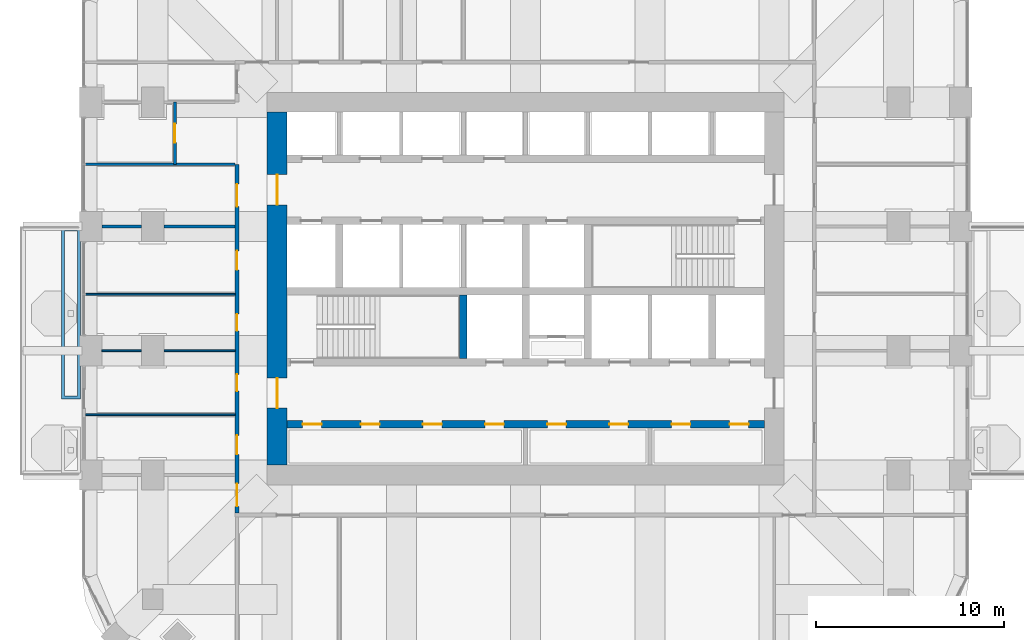
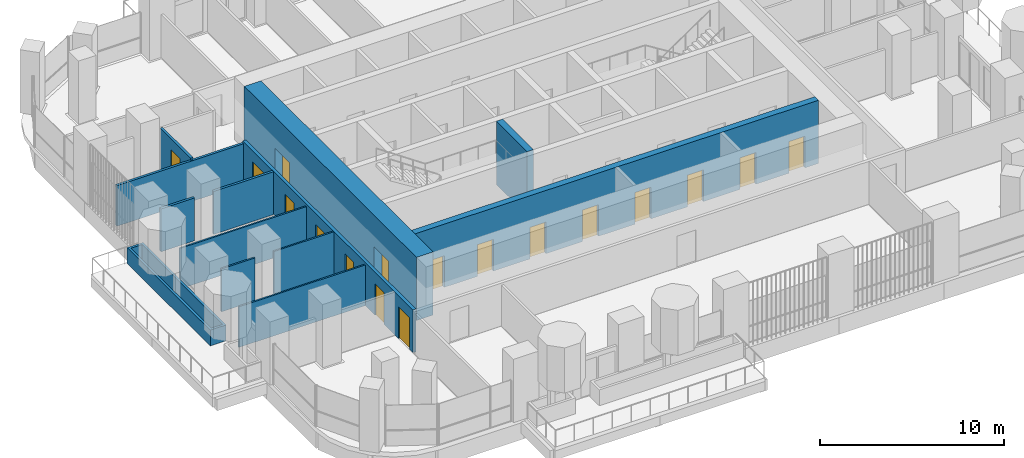
# One storey, part 12 of 20: 17 doors, 13 walls, 17 openings.
"""IFC4 building model written with IfcOpenShell, lengths in metres."""

from ifc_helpers import new_model, si_unit, direction, frame, frame_2d, origin, place, context, subcontext, project, spatial, polyline, rectangle, outline, extrude, material, layer, layer_set, type_object, element, fill, save


model = new_model("IFC4")

# Units and contexts
model_context = context("Model", 3, precision=1e-05, world=origin(), true_north=direction((0.0, 1.0)))
body_context = subcontext(model_context, "Body", "Model", "MODEL_VIEW")
ifc_project = project(units=[si_unit("LENGTHUNIT", "METRE"), si_unit("AREAUNIT", "SQUARE_METRE"), si_unit("VOLUMEUNIT", "CUBIC_METRE"), si_unit("PLANEANGLEUNIT", "RADIAN"), si_unit("MASSUNIT", "GRAM", prefix="KILO")], contexts=[model_context])

# Site, building, storey
site_placement = place(None, origin())
site = spatial("IfcSite", under=ifc_project, at=site_placement, CompositionType="ELEMENT")
building_placement = place(site_placement, origin())
building = spatial("IfcBuilding", under=site, at=building_placement, Name="Cobogo Forest Laboratory Tower", CompositionType="ELEMENT")
storey_placement = place(building_placement, frame((0.0, 0.0, 201.89990234375)))
storey = spatial("IfcBuildingStorey", under=building, at=storey_placement, Name="L46", CompositionType="ELEMENT", Elevation=201.89990234375)

# Wall, openings, doors
ifc_material_1 = material(Name="Concrete HA-50 (C50/60)", Category="concrete")
ifc_layer_1 = layer(ifc_material_1, 0.39990234375)
ifc_layer_set_1 = layer_set([ifc_layer_1], Name="CI400 core inner wall 400")
wall_type_1 = type_object("IfcWallType", Name="CI400 core inner wall 400", PredefinedType="SHEAR", material=ifc_layer_set_1)
wall_1_placement = place(storey_placement, frame((13.72509765625, 15.89990234375, 0.0), z_axis=(0.0, 0.0, 1.0), x_axis=(1.0, 0.0, 0.0)))
wall_1 = element("IfcWall", 1, at=wall_1_placement, inside=storey, type_object=wall_type_1, Name="Core wall CI-15.9 L46", PredefinedType="SHEAR", context=body_context, shape_type="SweptSolid", body=[
    extrude(rectangle(XDim=25.349853515625, YDim=0.39990234375, at=frame_2d((12.6748046875, 0.0))), origin(), (0.0, 0.0, 1.0), 4.2001953125),
])
opening_1_placement = place(wall_1_placement, frame((0.83740234375, 0.0, 0.0)))
opening_1 = element("IfcOpeningElement", 2, at=opening_1_placement, cuts=wall_1, Name="Opening L46-D08", PredefinedType="OPENING", context=body_context, shape_type="SweptSolid", body=[
    extrude(rectangle(XDim=1.0, YDim=2.10009765625, at=frame_2d((0.5, 1.050048828125))), frame((0.0, 0.2099609375, 0.0), z_axis=(0.0, -1.0, 0.0), x_axis=(1.0, 0.0, 0.0)), (0.0, 0.0, 1.0), 0.419921875),
])
opening_2_placement = place(wall_1_placement, frame((3.925048828125, 0.0, 0.0)))
opening_2 = element("IfcOpeningElement", 3, at=opening_2_placement, cuts=wall_1, Name="Opening L46-D09", PredefinedType="OPENING", context=body_context, shape_type="SweptSolid", body=[
    extrude(rectangle(XDim=1.0, YDim=2.10009765625, at=frame_2d((0.5, 1.050048828125))), frame((0.0, 0.2099609375, 0.0), z_axis=(0.0, -1.0, 0.0), x_axis=(1.0, 0.0, 0.0)), (0.0, 0.0, 1.0), 0.419921875),
])
opening_3_placement = place(wall_1_placement, frame((7.22509765625, 0.0, 0.0)))
opening_3 = element("IfcOpeningElement", 4, at=opening_3_placement, cuts=wall_1, Name="Opening L46-D10", PredefinedType="OPENING", context=body_context, shape_type="SweptSolid", body=[
    extrude(rectangle(XDim=1.0, YDim=2.10009765625, at=frame_2d((0.5, 1.050048828125))), frame((0.0, 0.2099609375, 0.0), z_axis=(0.0, -1.0, 0.0), x_axis=(1.0, 0.0, 0.0)), (0.0, 0.0, 1.0), 0.419921875),
])
opening_4_placement = place(wall_1_placement, frame((10.52490234375, 0.0, 0.0)))
opening_4 = element("IfcOpeningElement", 5, at=opening_4_placement, cuts=wall_1, Name="Opening L46-D11", PredefinedType="OPENING", context=body_context, shape_type="SweptSolid", body=[
    extrude(rectangle(XDim=1.0, YDim=2.10009765625, at=frame_2d((0.5, 1.050048828125))), frame((0.0, 0.2099609375, 0.0), z_axis=(0.0, -1.0, 0.0), x_axis=(1.0, 0.0, 0.0)), (0.0, 0.0, 1.0), 0.419921875),
])
opening_5_placement = place(wall_1_placement, frame((13.824951171875, 0.0, 0.0)))
opening_5 = element("IfcOpeningElement", 6, at=opening_5_placement, cuts=wall_1, Name="Opening L46-D12", PredefinedType="OPENING", context=body_context, shape_type="SweptSolid", body=[
    extrude(rectangle(XDim=1.0, YDim=2.10009765625, at=frame_2d((0.5, 1.050048828125))), frame((0.0, 0.2099609375, 0.0), z_axis=(0.0, -1.0, 0.0), x_axis=(1.0, 0.0, 0.0)), (0.0, 0.0, 1.0), 0.419921875),
])
opening_6_placement = place(wall_1_placement, frame((17.125, 0.0, 0.0)))
opening_6 = element("IfcOpeningElement", 7, at=opening_6_placement, cuts=wall_1, Name="Opening L46-D13", PredefinedType="OPENING", context=body_context, shape_type="SweptSolid", body=[
    extrude(rectangle(XDim=1.0, YDim=2.10009765625, at=frame_2d((0.5, 1.050048828125))), frame((0.0, 0.2099609375, 0.0), z_axis=(0.0, -1.0, 0.0), x_axis=(1.0, 0.0, 0.0)), (0.0, 0.0, 1.0), 0.419921875),
])
opening_7_placement = place(wall_1_placement, frame((20.425048828125, 0.0, 0.0)))
opening_7 = element("IfcOpeningElement", 8, at=opening_7_placement, cuts=wall_1, Name="Opening L46-D14", PredefinedType="OPENING", context=body_context, shape_type="SweptSolid", body=[
    extrude(rectangle(XDim=1.0, YDim=2.10009765625, at=frame_2d((0.5, 1.050048828125))), frame((0.0, 0.2099609375, 0.0), z_axis=(0.0, -1.0, 0.0), x_axis=(1.0, 0.0, 0.0)), (0.0, 0.0, 1.0), 0.419921875),
])
opening_8_placement = place(wall_1_placement, frame((23.512451171875, 0.0, 0.0)))
opening_8 = element("IfcOpeningElement", 9, at=opening_8_placement, cuts=wall_1, Name="Opening L46-D15", PredefinedType="OPENING", context=body_context, shape_type="SweptSolid", body=[
    extrude(rectangle(XDim=1.0, YDim=2.10009765625, at=frame_2d((0.5, 1.050048828125))), frame((0.0, 0.2099609375, 0.0), z_axis=(0.0, -1.0, 0.0), x_axis=(1.0, 0.0, 0.0)), (0.0, 0.0, 1.0), 0.419921875),
])
ifc_material_2 = material(Name="Steel fire door", Category="steel")
door_type_1 = type_object("IfcDoorType", Name="FD1 fire door 1000 EI2 60", OperationType="SINGLE_SWING_LEFT", PredefinedType="DOOR", material=ifc_material_2)
door_1_placement = place(opening_1_placement, origin())
door_1 = element("IfcDoor", 10, at=door_1_placement, inside=storey, type_object=door_type_1, Name="Door L46-SH-LA1", OperationType="SINGLE_SWING_LEFT", OverallHeight=2.10009765625, OverallWidth=1.0, PredefinedType="DOOR", context=body_context, shape_type="SweptSolid", body=[
    extrude(rectangle(XDim=1.0, YDim=2.10009765625, at=frame_2d((0.5, 1.050048828125))), frame((0.0, 0.02490234375, 0.0), z_axis=(0.0, -1.0, 0.0), x_axis=(1.0, 0.0, 0.0)), (0.0, 0.0, 1.0), 0.050048828125),
])
fill(opening_1, door_1)
door_2_placement = place(opening_2_placement, origin())
door_2 = element("IfcDoor", 11, at=door_2_placement, inside=storey, type_object=door_type_1, Name="Door L46-SH-LA2", OperationType="SINGLE_SWING_LEFT", OverallHeight=2.10009765625, OverallWidth=1.0, PredefinedType="DOOR", context=body_context, shape_type="SweptSolid", body=[
    extrude(rectangle(XDim=1.0, YDim=2.10009765625, at=frame_2d((0.5, 1.050048828125))), frame((0.0, 0.02490234375, 0.0), z_axis=(0.0, -1.0, 0.0), x_axis=(1.0, 0.0, 0.0)), (0.0, 0.0, 1.0), 0.050048828125),
])
fill(opening_2, door_2)
door_3_placement = place(opening_3_placement, origin())
door_3 = element("IfcDoor", 12, at=door_3_placement, inside=storey, type_object=door_type_1, Name="Door L46-SH-LA3", OperationType="SINGLE_SWING_LEFT", OverallHeight=2.10009765625, OverallWidth=1.0, PredefinedType="DOOR", context=body_context, shape_type="SweptSolid", body=[
    extrude(rectangle(XDim=1.0, YDim=2.10009765625, at=frame_2d((0.5, 1.050048828125))), frame((0.0, 0.02490234375, 0.0), z_axis=(0.0, -1.0, 0.0), x_axis=(1.0, 0.0, 0.0)), (0.0, 0.0, 1.0), 0.050048828125),
])
fill(opening_3, door_3)
door_4_placement = place(opening_4_placement, origin())
door_4 = element("IfcDoor", 13, at=door_4_placement, inside=storey, type_object=door_type_1, Name="Door L46-SH-LA4", OperationType="SINGLE_SWING_LEFT", OverallHeight=2.10009765625, OverallWidth=1.0, PredefinedType="DOOR", context=body_context, shape_type="SweptSolid", body=[
    extrude(rectangle(XDim=1.0, YDim=2.10009765625, at=frame_2d((0.5, 1.050048828125))), frame((0.0, 0.02490234375, 0.0), z_axis=(0.0, -1.0, 0.0), x_axis=(1.0, 0.0, 0.0)), (0.0, 0.0, 1.0), 0.050048828125),
])
fill(opening_4, door_4)
door_5_placement = place(opening_5_placement, origin())
door_5 = element("IfcDoor", 14, at=door_5_placement, inside=storey, type_object=door_type_1, Name="Door L46-SH-LB1", OperationType="SINGLE_SWING_RIGHT", OverallHeight=2.10009765625, OverallWidth=1.0, PredefinedType="DOOR", context=body_context, shape_type="SweptSolid", body=[
    extrude(rectangle(XDim=1.0, YDim=2.10009765625, at=frame_2d((0.5, 1.050048828125))), frame((0.0, 0.02490234375, 0.0), z_axis=(0.0, -1.0, 0.0), x_axis=(1.0, 0.0, 0.0)), (0.0, 0.0, 1.0), 0.050048828125),
])
fill(opening_5, door_5)
door_6_placement = place(opening_6_placement, origin())
door_6 = element("IfcDoor", 15, at=door_6_placement, inside=storey, type_object=door_type_1, Name="Door L46-SH-LB2", OperationType="SINGLE_SWING_RIGHT", OverallHeight=2.10009765625, OverallWidth=1.0, PredefinedType="DOOR", context=body_context, shape_type="SweptSolid", body=[
    extrude(rectangle(XDim=1.0, YDim=2.10009765625, at=frame_2d((0.5, 1.050048828125))), frame((0.0, 0.02490234375, 0.0), z_axis=(0.0, -1.0, 0.0), x_axis=(1.0, 0.0, 0.0)), (0.0, 0.0, 1.0), 0.050048828125),
])
fill(opening_6, door_6)
door_7_placement = place(opening_7_placement, origin())
door_7 = element("IfcDoor", 16, at=door_7_placement, inside=storey, type_object=door_type_1, Name="Door L46-SH-LB3", OperationType="SINGLE_SWING_RIGHT", OverallHeight=2.10009765625, OverallWidth=1.0, PredefinedType="DOOR", context=body_context, shape_type="SweptSolid", body=[
    extrude(rectangle(XDim=1.0, YDim=2.10009765625, at=frame_2d((0.5, 1.050048828125))), frame((0.0, 0.02490234375, 0.0), z_axis=(0.0, -1.0, 0.0), x_axis=(1.0, 0.0, 0.0)), (0.0, 0.0, 1.0), 0.050048828125),
])
fill(opening_7, door_7)
door_8_placement = place(opening_8_placement, origin())
door_8 = element("IfcDoor", 17, at=door_8_placement, inside=storey, type_object=door_type_1, Name="Door L46-SH-LB4", OperationType="SINGLE_SWING_RIGHT", OverallHeight=2.10009765625, OverallWidth=1.0, PredefinedType="DOOR", context=body_context, shape_type="SweptSolid", body=[
    extrude(rectangle(XDim=1.0, YDim=2.10009765625, at=frame_2d((0.5, 1.050048828125))), frame((0.0, 0.02490234375, 0.0), z_axis=(0.0, -1.0, 0.0), x_axis=(1.0, 0.0, 0.0)), (0.0, 0.0, 1.0), 0.050048828125),
])
fill(opening_8, door_8)

# Wall
wall_2_placement = place(storey_placement, frame((23.10009765625, 19.39990234375, 0.0), z_axis=(0.0, 0.0, 1.0), x_axis=(0.0, 1.0, 0.0)))
element("IfcWall", 18, at=wall_2_placement, inside=storey, type_object=wall_type_1, Name="Core wall CX-23.1 L46", PredefinedType="SHEAR", context=body_context, shape_type="SweptSolid", body=[
    extrude(rectangle(XDim=3.35009765625, YDim=0.39990234375, at=frame_2d((1.675048828125, 0.0))), origin(), (0.0, 0.0, 1.0), 4.2001953125),
])

# Wall, openings, doors
ifc_layer_2 = layer(ifc_material_1, 1.050048828125)
ifc_layer_set_2 = layer_set([ifc_layer_2], Name="CW1050 core outer wall 1050")
wall_type_2 = type_object("IfcWallType", Name="CW1050 core outer wall 1050", PredefinedType="SHEAR", material=ifc_layer_set_2)
wall_3_placement = place(storey_placement, frame((13.199951171875, 32.47509765625, 0.0), z_axis=(0.0, 0.0, 1.0), x_axis=(0.0, -1.0, 0.0)))
wall_3 = element("IfcWall", 19, at=wall_3_placement, inside=storey, type_object=wall_type_2, Name="Core wall CO-W L46", PredefinedType="SHEAR", context=body_context, shape_type="SweptSolid", body=[
    extrude(rectangle(XDim=18.75, YDim=1.050048828125, at=frame_2d((9.375, 0.0))), origin(), (0.0, 0.0, 1.0), 4.2001953125),
])
opening_9_placement = place(wall_3_placement, frame((14.125, 0.0, 0.0)))
opening_9 = element("IfcOpeningElement", 20, at=opening_9_placement, cuts=wall_3, Name="Opening L46-D18", PredefinedType="OPENING", context=body_context, shape_type="SweptSolid", body=[
    extrude(rectangle(XDim=1.60009765625, YDim=2.10009765625, at=frame_2d((0.800048828125, 1.050048828125))), frame((0.0, 0.534912109375, 0.0), z_axis=(0.0, -1.0, 0.0), x_axis=(1.0, 0.0, 0.0)), (0.0, 0.0, 1.0), 1.070068359375),
])
opening_10_placement = place(wall_3_placement, frame((3.324951171875, 0.0, 0.0)))
opening_10 = element("IfcOpeningElement", 21, at=opening_10_placement, cuts=wall_3, Name="Opening L46-D32", PredefinedType="OPENING", context=body_context, shape_type="SweptSolid", body=[
    extrude(rectangle(XDim=1.60009765625, YDim=2.10009765625, at=frame_2d((0.800048828125, 1.050048828125))), frame((0.0, 0.534912109375, 0.0), z_axis=(0.0, -1.0, 0.0), x_axis=(1.0, 0.0, 0.0)), (0.0, 0.0, 1.0), 1.070068359375),
])
door_type_2 = type_object("IfcDoorType", Name="DS2 protected lobby door pair 1600 EI2 60", OperationType="DOUBLE_DOOR_DOUBLE_SWING", PredefinedType="DOOR", material=ifc_material_2)
door_9_placement = place(opening_9_placement, origin())
door_9 = element("IfcDoor", 22, at=door_9_placement, inside=storey, type_object=door_type_2, Name="Door L46-CO-W-S", OperationType="DOUBLE_DOOR_DOUBLE_SWING", OverallHeight=2.10009765625, OverallWidth=1.60009765625, PredefinedType="DOOR", context=body_context, shape_type="SweptSolid", body=[
    extrude(rectangle(XDim=1.60009765625, YDim=2.10009765625, at=frame_2d((0.800048828125, 1.050048828125))), frame((0.0, 0.02490234375, 0.0), z_axis=(0.0, -1.0, 0.0), x_axis=(1.0, 0.0, 0.0)), (0.0, 0.0, 1.0), 0.050048828125),
])
fill(opening_9, door_9)
door_10_placement = place(opening_10_placement, origin())
door_10 = element("IfcDoor", 23, at=door_10_placement, inside=storey, type_object=door_type_2, Name="Door L46-CO-W-N", OperationType="DOUBLE_DOOR_DOUBLE_SWING", OverallHeight=2.10009765625, OverallWidth=1.60009765625, PredefinedType="DOOR", context=body_context, shape_type="SweptSolid", body=[
    extrude(rectangle(XDim=1.60009765625, YDim=2.10009765625, at=frame_2d((0.800048828125, 1.050048828125))), frame((0.0, 0.02490234375, 0.0), z_axis=(0.0, -1.0, 0.0), x_axis=(1.0, 0.0, 0.0)), (0.0, 0.0, 1.0), 0.050048828125),
])
fill(opening_10, door_10)

# Wall, opening, door
ifc_material_3 = material(Name="Gypsum board on steel studs", Category="steel")
ifc_layer_3 = layer(ifc_material_3, 0.14990234375)
ifc_layer_set_3 = layer_set([ifc_layer_3], Name="PT1 laboratory partition 150")
wall_type_3 = type_object("IfcWallType", Name="PT1 laboratory partition 150", PredefinedType="PARTITIONING", material=ifc_layer_set_3)
wall_4_placement = place(storey_placement, frame((7.77490234375, 29.699951171875, 0.0), z_axis=(0.0, 0.0, 1.0), x_axis=(0.0, 1.0, 0.0)))
wall_4 = element("IfcWall", 24, at=wall_4_placement, inside=storey, type_object=wall_type_3, Name="Partition NODE-W-1 L46", PredefinedType="PARTITIONING", context=body_context, shape_type="SweptSolid", body=[
    extrude(rectangle(XDim=3.300048828125, YDim=0.14990234375, at=frame_2d((1.64990234375, 0.0))), origin(), (0.0, 0.0, 1.0), 2.85009765625),
])
opening_11_placement = place(wall_4_placement, frame((1.14990234375, 0.0, 0.0)))
opening_11 = element("IfcOpeningElement", 25, at=opening_11_placement, cuts=wall_4, Name="Opening L46-D34", PredefinedType="OPENING", context=body_context, shape_type="SweptSolid", body=[
    extrude(rectangle(XDim=1.0, YDim=2.10009765625, at=frame_2d((0.5, 1.050048828125))), frame((0.0, 0.0849609375, 0.0), z_axis=(0.0, -1.0, 0.0), x_axis=(1.0, 0.0, 0.0)), (0.0, 0.0, 1.0), 0.169921875),
])
ifc_material_4 = material(Name="Timber fire door", Category="wood")
door_type_3 = type_object("IfcDoorType", Name="FD2 fire door 1000 EI2 30", OperationType="SINGLE_SWING_LEFT", PredefinedType="DOOR", material=ifc_material_4)
door_11_placement = place(opening_11_placement, origin())
door_11 = element("IfcDoor", 26, at=door_11_placement, inside=storey, type_object=door_type_3, Name="Door L46-W4", OperationType="SINGLE_SWING_RIGHT", OverallHeight=2.10009765625, OverallWidth=1.0, PredefinedType="DOOR", context=body_context, shape_type="SweptSolid", body=[
    extrude(rectangle(XDim=1.0, YDim=2.10009765625, at=frame_2d((0.5, 1.050048828125))), frame((0.0, 0.02490234375, 0.0), z_axis=(0.0, -1.0, 0.0), x_axis=(1.0, 0.0, 0.0)), (0.0, 0.0, 1.0), 0.050048828125),
])
fill(opening_11, door_11)

# Walls
wall_5_placement = place(storey_placement, frame((3.89990234375, 26.39990234375, 0.0), z_axis=(0.0, 0.0, 1.0), x_axis=(1.0, 0.0, 0.0)))
element("IfcWall", 27, at=wall_5_placement, inside=storey, type_object=wall_type_3, Name="Partition CUT-W26.4-1 L46", PredefinedType="PARTITIONING", context=body_context, shape_type="SweptSolid", body=[
    extrude(rectangle(XDim=2.10009765625, YDim=0.14990234375, at=frame_2d((1.050048828125, 0.0))), origin(), (0.0, 0.0, 1.0), 2.85009765625),
])
wall_6_placement = place(storey_placement, frame((7.199951171875, 26.39990234375, 0.0), z_axis=(0.0, 0.0, 1.0), x_axis=(1.0, 0.0, 0.0)))
element("IfcWall", 28, at=wall_6_placement, inside=storey, type_object=wall_type_3, Name="Partition CUT-W26.4-2 L46", PredefinedType="PARTITIONING", context=body_context, shape_type="SweptSolid", body=[
    extrude(rectangle(XDim=3.775146484375, YDim=0.14990234375, at=frame_2d((1.8876953125, 0.0))), origin(), (0.0, 0.0, 1.0), 2.85009765625),
])
wall_7_placement = place(storey_placement, frame((3.030029296875, 29.699951171875, 0.0), z_axis=(0.0, 0.0, 1.0), x_axis=(1.0, 0.0, 0.0)))
element("IfcWall", 29, at=wall_7_placement, inside=storey, type_object=wall_type_3, Name="Partition CUT-W29.7-1 L46", PredefinedType="PARTITIONING", context=body_context, shape_type="SweptSolid", body=[
    extrude(rectangle(XDim=7.945068359375, YDim=0.14990234375, at=frame_2d((3.97265625, 0.0))), origin(), (0.0, 0.0, 1.0), 2.7001953125),
])

# Wall, openings, doors
ifc_layer_4 = layer(ifc_material_3, 0.199951171875)
ifc_layer_set_4 = layer_set([ifc_layer_4], Name="PT2 fire-rated corridor partition 200")
wall_type_4 = type_object("IfcWallType", Name="PT2 fire-rated corridor partition 200", PredefinedType="PARTITIONING", material=ifc_layer_set_4)
wall_8_placement = place(storey_placement, frame((11.074951171875, 11.175048828125, 0.0), z_axis=(0.0, 0.0, 1.0), x_axis=(0.0, 1.0, 0.0)))
wall_8 = element("IfcWall", 30, at=wall_8_placement, inside=storey, type_object=wall_type_4, Name="Partition CORR-W-1 L46", PredefinedType="PARTITIONING", context=body_context, shape_type="SweptSolid", body=[
    extrude(rectangle(XDim=18.52490234375, YDim=0.199951171875, at=frame_2d((9.262451171875, 0.0))), origin(), (0.0, 0.0, 1.0), 2.85009765625),
])
opening_12_placement = place(wall_8_placement, frame((0.362548828125, 0.0, 0.0)))
opening_12 = element("IfcOpeningElement", 31, at=opening_12_placement, cuts=wall_8, Name="Opening L46-D05", PredefinedType="OPENING", context=body_context, shape_type="SweptSolid", body=[
    extrude(rectangle(XDim=1.199951171875, YDim=2.10009765625, at=frame_2d((0.60009765625, 1.050048828125))), frame((0.0, 0.10986328125, 0.0), z_axis=(0.0, -1.0, 0.0), x_axis=(1.0, 0.0, 0.0)), (0.0, 0.0, 1.0), 0.219970703125),
])
opening_13_placement = place(wall_8_placement, frame((3.125, 0.0, 0.0)))
opening_13 = element("IfcOpeningElement", 32, at=opening_13_placement, cuts=wall_8, Name="Opening L46-D06", PredefinedType="OPENING", context=body_context, shape_type="SweptSolid", body=[
    extrude(rectangle(XDim=1.0, YDim=2.10009765625, at=frame_2d((0.5, 1.050048828125))), frame((0.0, 0.10986328125, 0.0), z_axis=(0.0, -1.0, 0.0), x_axis=(1.0, 0.0, 0.0)), (0.0, 0.0, 1.0), 0.219970703125),
])
opening_14_placement = place(wall_8_placement, frame((6.47509765625, 0.0, 0.0)))
opening_14 = element("IfcOpeningElement", 33, at=opening_14_placement, cuts=wall_8, Name="Opening L46-D20", PredefinedType="OPENING", context=body_context, shape_type="SweptSolid", body=[
    extrude(rectangle(XDim=0.89990234375, YDim=2.10009765625, at=frame_2d((0.449951171875, 1.050048828125))), frame((0.0, 0.10986328125, 0.0), z_axis=(0.0, -1.0, 0.0), x_axis=(1.0, 0.0, 0.0)), (0.0, 0.0, 1.0), 0.219970703125),
])
opening_15_placement = place(wall_8_placement, frame((9.675048828125, 0.0, 0.0)))
opening_15 = element("IfcOpeningElement", 34, at=opening_15_placement, cuts=wall_8, Name="Opening L46-D25", PredefinedType="OPENING", context=body_context, shape_type="SweptSolid", body=[
    extrude(rectangle(XDim=0.89990234375, YDim=2.10009765625, at=frame_2d((0.449951171875, 1.050048828125))), frame((0.0, 0.10986328125, 0.0), z_axis=(0.0, -1.0, 0.0), x_axis=(1.0, 0.0, 0.0)), (0.0, 0.0, 1.0), 0.219970703125),
])
opening_16_placement = place(wall_8_placement, frame((12.925048828125, 0.0, 0.0)))
opening_16 = element("IfcOpeningElement", 35, at=opening_16_placement, cuts=wall_8, Name="Opening L46-D27", PredefinedType="OPENING", context=body_context, shape_type="SweptSolid", body=[
    extrude(rectangle(XDim=1.0, YDim=2.10009765625, at=frame_2d((0.5, 1.050048828125))), frame((0.0, 0.10986328125, 0.0), z_axis=(0.0, -1.0, 0.0), x_axis=(1.0, 0.0, 0.0)), (0.0, 0.0, 1.0), 0.219970703125),
])
opening_17_placement = place(wall_8_placement, frame((16.27490234375, 0.0, 0.0)))
opening_17 = element("IfcOpeningElement", 36, at=opening_17_placement, cuts=wall_8, Name="Opening L46-D30", PredefinedType="OPENING", context=body_context, shape_type="SweptSolid", body=[
    extrude(rectangle(XDim=1.199951171875, YDim=2.10009765625, at=frame_2d((0.60009765625, 1.050048828125))), frame((0.0, 0.10986328125, 0.0), z_axis=(0.0, -1.0, 0.0), x_axis=(1.0, 0.0, 0.0)), (0.0, 0.0, 1.0), 0.219970703125),
])
ifc_material_5 = material(Name="Timber door", Category="wood")
door_type_4 = type_object("IfcDoorType", Name="D2 laboratory door 1200 unequal pair", OperationType="DOUBLE_DOOR_SINGLE_SWING", PredefinedType="DOOR", material=ifc_material_5)
door_12_placement = place(opening_12_placement, origin())
door_12 = element("IfcDoor", 37, at=door_12_placement, inside=storey, type_object=door_type_4, Name="Door L46-W1", OperationType="DOUBLE_DOOR_SINGLE_SWING", OverallHeight=2.10009765625, OverallWidth=1.199951171875, PredefinedType="DOOR", context=body_context, shape_type="SweptSolid", body=[
    extrude(rectangle(XDim=1.199951171875, YDim=2.10009765625, at=frame_2d((0.60009765625, 1.050048828125))), frame((0.0, 0.02490234375, 0.0), z_axis=(0.0, -1.0, 0.0), x_axis=(1.0, 0.0, 0.0)), (0.0, 0.0, 1.0), 0.050048828125),
])
fill(opening_12, door_12)
door_13_placement = place(opening_17_placement, origin())
door_13 = element("IfcDoor", 38, at=door_13_placement, inside=storey, type_object=door_type_4, Name="Door L46-W3", OperationType="DOUBLE_DOOR_SINGLE_SWING", OverallHeight=2.10009765625, OverallWidth=1.199951171875, PredefinedType="DOOR", context=body_context, shape_type="SweptSolid", body=[
    extrude(rectangle(XDim=1.199951171875, YDim=2.10009765625, at=frame_2d((0.60009765625, 1.050048828125))), frame((0.0, 0.02490234375, 0.0), z_axis=(0.0, -1.0, 0.0), x_axis=(1.0, 0.0, 0.0)), (0.0, 0.0, 1.0), 0.050048828125),
])
fill(opening_17, door_13)
door_14_placement = place(opening_16_placement, origin())
door_14 = element("IfcDoor", 39, at=door_14_placement, inside=storey, type_object=door_type_3, Name="Door L46-SHW", OperationType="SINGLE_SWING_RIGHT", OverallHeight=2.10009765625, OverallWidth=1.0, PredefinedType="DOOR", context=body_context, shape_type="SweptSolid", body=[
    extrude(rectangle(XDim=1.0, YDim=2.10009765625, at=frame_2d((0.5, 1.050048828125))), frame((0.0, 0.02490234375, 0.0), z_axis=(0.0, -1.0, 0.0), x_axis=(1.0, 0.0, 0.0)), (0.0, 0.0, 1.0), 0.050048828125),
])
fill(opening_16, door_14)
door_type_5 = type_object("IfcDoorType", Name="FD3 toilet fire door 900 EI2 30", OperationType="SINGLE_SWING_LEFT", PredefinedType="DOOR", material=ifc_material_4)
door_15_placement = place(opening_14_placement, origin())
door_15 = element("IfcDoor", 40, at=door_15_placement, inside=storey, type_object=door_type_5, Name="Door L46-WCF", OperationType="SINGLE_SWING_LEFT", OverallHeight=2.10009765625, OverallWidth=0.89990234375, PredefinedType="DOOR", context=body_context, shape_type="SweptSolid", body=[
    extrude(rectangle(XDim=0.89990234375, YDim=2.10009765625, at=frame_2d((0.449951171875, 1.050048828125))), frame((0.0, 0.02490234375, 0.0), z_axis=(0.0, -1.0, 0.0), x_axis=(1.0, 0.0, 0.0)), (0.0, 0.0, 1.0), 0.050048828125),
])
fill(opening_14, door_15)
door_16_placement = place(opening_15_placement, origin())
door_16 = element("IfcDoor", 41, at=door_16_placement, inside=storey, type_object=door_type_5, Name="Door L46-WCM", OperationType="SINGLE_SWING_RIGHT", OverallHeight=2.10009765625, OverallWidth=0.89990234375, PredefinedType="DOOR", context=body_context, shape_type="SweptSolid", body=[
    extrude(rectangle(XDim=0.89990234375, YDim=2.10009765625, at=frame_2d((0.449951171875, 1.050048828125))), frame((0.0, 0.02490234375, 0.0), z_axis=(0.0, -1.0, 0.0), x_axis=(1.0, 0.0, 0.0)), (0.0, 0.0, 1.0), 0.050048828125),
])
fill(opening_15, door_16)
door_type_6 = type_object("IfcDoorType", Name="FDA1 accessible toilet fire door 1000 EI2 30", OperationType="SINGLE_SWING_RIGHT", PredefinedType="DOOR", material=ifc_material_4)
door_17_placement = place(opening_13_placement, origin())
door_17 = element("IfcDoor", 42, at=door_17_placement, inside=storey, type_object=door_type_6, Name="Door L46-WCA", OperationType="SINGLE_SWING_LEFT", OverallHeight=2.10009765625, OverallWidth=1.0, PredefinedType="DOOR", context=body_context, shape_type="SweptSolid", body=[
    extrude(rectangle(XDim=1.0, YDim=2.10009765625, at=frame_2d((0.5, 1.050048828125))), frame((0.0, 0.02490234375, 0.0), z_axis=(0.0, -1.0, 0.0), x_axis=(1.0, 0.0, 0.0)), (0.0, 0.0, 1.0), 0.050048828125),
])
fill(opening_13, door_17)

# Walls
ifc_layer_5 = layer(ifc_material_3, 0.10009765625)
ifc_layer_set_5 = layer_set([ifc_layer_5], Name="PT3 toilet partition 100")
wall_type_5 = type_object("IfcWallType", Name="PT3 toilet partition 100", PredefinedType="PARTITIONING", material=ifc_layer_set_5)
wall_9_placement = place(storey_placement, frame((3.030029296875, 16.39990234375, 0.0), z_axis=(0.0, 0.0, 1.0), x_axis=(1.0, 0.0, 0.0)))
element("IfcWall", 43, at=wall_9_placement, inside=storey, type_object=wall_type_5, Name="Partition SVC-W1-1 L46", PredefinedType="PARTITIONING", context=body_context, shape_type="SweptSolid", body=[
    extrude(rectangle(XDim=7.945068359375, YDim=0.10009765625, at=frame_2d((3.97265625, 0.0))), origin(), (0.0, 0.0, 1.0), 2.7001953125),
])
wall_10_placement = place(storey_placement, frame((3.89990234375, 19.800048828125, 0.0), z_axis=(0.0, 0.0, 1.0), x_axis=(1.0, 0.0, 0.0)))
element("IfcWall", 44, at=wall_10_placement, inside=storey, type_object=wall_type_5, Name="Partition SVC-W2-1 L46", PredefinedType="PARTITIONING", context=body_context, shape_type="SweptSolid", body=[
    extrude(rectangle(XDim=2.10009765625, YDim=0.10009765625, at=frame_2d((1.050048828125, 0.0))), origin(), (0.0, 0.0, 1.0), 2.85009765625),
])
wall_11_placement = place(storey_placement, frame((7.199951171875, 19.800048828125, 0.0), z_axis=(0.0, 0.0, 1.0), x_axis=(1.0, 0.0, 0.0)))
element("IfcWall", 45, at=wall_11_placement, inside=storey, type_object=wall_type_5, Name="Partition SVC-W2-2 L46", PredefinedType="PARTITIONING", context=body_context, shape_type="SweptSolid", body=[
    extrude(rectangle(XDim=3.775146484375, YDim=0.10009765625, at=frame_2d((1.8876953125, 0.0))), origin(), (0.0, 0.0, 1.0), 2.85009765625),
])
wall_12_placement = place(storey_placement, frame((3.030029296875, 22.800048828125, 0.0), z_axis=(0.0, 0.0, 1.0), x_axis=(1.0, 0.0, 0.0)))
element("IfcWall", 46, at=wall_12_placement, inside=storey, type_object=wall_type_5, Name="Partition SVC-W3-1 L46", PredefinedType="PARTITIONING", context=body_context, shape_type="SweptSolid", body=[
    extrude(rectangle(XDim=7.945068359375, YDim=0.10009765625, at=frame_2d((3.97265625, 0.0))), origin(), (0.0, 0.0, 1.0), 2.7001953125),
])
ifc_material_6 = material(Name="Concrete HA-40 (C40/50)", Category="concrete")
ifc_layer_6 = layer(ifc_material_6, 0.14990234375)
ifc_layer_set_6 = layer_set([ifc_layer_6], Name="Planter box 1000x1050")
wall_type_6 = type_object("IfcWallType", Name="Planter box 1000x1050", PredefinedType="USERDEFINED", material=ifc_layer_set_6)
wall_13_placement = place(storey_placement, origin())
element("IfcWall", 47, at=wall_13_placement, inside=storey, type_object=wall_type_6, Name="Planter BAL-W1-2 L46", ObjectType="PLANTER", PredefinedType="USERDEFINED", context=body_context, shape_type="SweptSolid", body=[
    extrude(outline(polyline([(1.75, 17.25), (2.75, 17.25), (2.75, 26.300048828125), (1.75, 26.300048828125), (1.75, 17.25)]), holes=[polyline([(1.89990234375, 17.39990234375), (2.60009765625, 17.39990234375), (2.60009765625, 26.14990234375), (1.89990234375, 26.14990234375), (1.89990234375, 17.39990234375)])]), origin(), (0.0, 0.0, 1.0), 1.050048828125),
])

save(model, "model.ifc")
